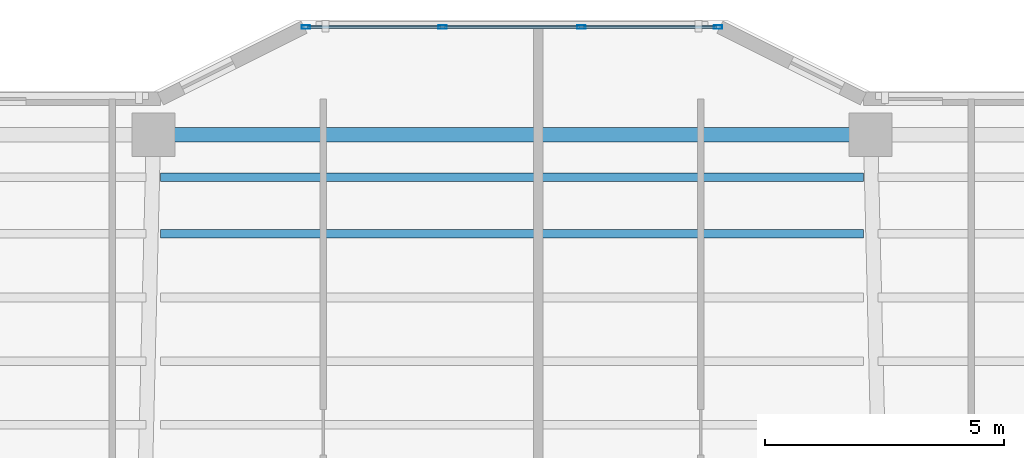
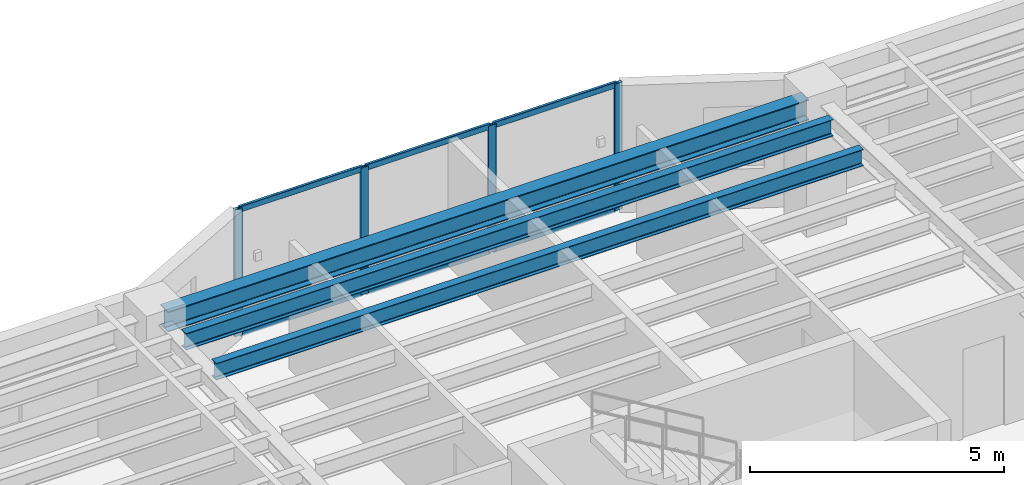
# One storey, part 4 of 15: 10 members, 3 beams, 1 element without a shape of its own.
"""IFC4 building model written with IfcOpenShell, lengths in metres."""

from ifc_helpers import new_model, si_unit, direction, frame, origin, origin_2d, place, context, subcontext, project, spatial, hollow_rectangle, i_section, extrude, material, layer, layer_set, material_profile, profile_set, type_object, element, aggregate, save


model = new_model("IFC4")

# Units and contexts
model_context = context("Model", 3, precision=1e-05, world=origin(), true_north=direction((0.0, 1.0)))
body_context = subcontext(model_context, "Body", "Model", "MODEL_VIEW")
ifc_project = project(units=[si_unit("LENGTHUNIT", "METRE"), si_unit("AREAUNIT", "SQUARE_METRE"), si_unit("VOLUMEUNIT", "CUBIC_METRE"), si_unit("PLANEANGLEUNIT", "RADIAN"), si_unit("MASSUNIT", "GRAM", prefix="KILO")], contexts=[model_context])

# Site, building, storey
site_placement = place(None, origin())
site = spatial("IfcSite", under=ifc_project, at=site_placement, CompositionType="ELEMENT")
building_placement = place(site_placement, origin())
building = spatial("IfcBuilding", under=site, at=building_placement, Name="Tarnavaz Court Tower", CompositionType="ELEMENT")
storey_placement = place(building_placement, frame((0.0, 0.0, 169.449951171875)))
storey = spatial("IfcBuildingStorey", under=building, at=storey_placement, Name="L46", CompositionType="ELEMENT", Elevation=169.449951171875)

# Beams
ifc_material_1 = material(Name="Steel S355", Category="steel")
ifc_material_profile_1 = material_profile(ifc_material_1, i_section(OverallWidth=0.179931640625, OverallDepth=0.39990234375, WebThickness=0.008544921875, FlangeThickness=0.013427734375, FilletRadius=0.02099609375, at=origin_2d()), Name="IPE 400")
ifc_profile_set_1 = profile_set([ifc_material_profile_1], Name="Steel S355")
beam_type_1 = type_object("IfcBeamType", Name="BM-J-IPE400", PredefinedType="JOIST", material=ifc_profile_set_1)
for number, where, z_axis, x_axis, name in (
    (1, (-7.35009765625, 18.327880859375, 2.85009765625), (1.0, 0.0, 0.0), (0.0, 1.0, 0.0), "L46 Beam JN4-2"),
    (2, (-7.35009765625, 19.511962890625, 2.85009765625), (1.0, 0.0, 0.0), (0.0, 1.0, 0.0), "L46 Beam JN5-2"),
):
    element("IfcBeam", number, at=place(storey_placement, frame(where, z_axis=z_axis, x_axis=x_axis)), inside=storey, type_object=beam_type_1, Name=name, PredefinedType="JOIST", context=body_context, shape_type="SweptSolid", body=[
        extrude(i_section(OverallWidth=0.179931640625, OverallDepth=0.39990234375, WebThickness=0.008544921875, FlangeThickness=0.013427734375, FilletRadius=0.02099609375, at=origin_2d()), origin(), (0.0, 0.0, 1.0), 14.7001953125),
    ])
ifc_material_profile_2 = material_profile(ifc_material_1, i_section(OverallWidth=0.300048828125, OverallDepth=0.489990234375, WebThickness=0.011962890625, FlangeThickness=0.02294921875, FilletRadius=0.027099609375, at=origin_2d()), Name="HEA 500")
ifc_profile_set_2 = profile_set([ifc_material_profile_2], Name="Steel S355")
beam_type_2 = type_object("IfcBeamType", Name="BM-SP-HEA500", PredefinedType="SPANDREL", material=ifc_profile_set_2)
beam_placement = place(storey_placement, frame((-7.280029296875, 20.39990234375, 2.804931640625), z_axis=(1.0, 0.0, 0.0), x_axis=(0.0, 1.0, 0.0)))
element("IfcBeam", 3, at=beam_placement, inside=storey, type_object=beam_type_2, Name="L46 Beam PR-PN-2-PN-3", PredefinedType="SPANDREL", context=body_context, shape_type="SweptSolid", body=[
    extrude(i_section(OverallWidth=0.300048828125, OverallDepth=0.489990234375, WebThickness=0.011962890625, FlangeThickness=0.02294921875, FilletRadius=0.027099609375, at=origin_2d()), origin(), (0.0, 0.0, 1.0), 14.56005859375),
])

# Curtain wall, members
ifc_material_2 = material(Name="Anodised Aluminium 6063-T6 and Solar Low-E Glazing", Category="aluminium")
ifc_layer = layer(ifc_material_2, 0.159912109375)
ifc_layer_set = layer_set([ifc_layer], Name="Anodised Aluminium 6063-T6 and Solar Low-E Glazing")
curtain_wall_type = type_object("IfcCurtainWallType", Name="CW-SYS-03", PredefinedType="NOTDEFINED", material=ifc_layer_set)
curtain_wall_placement = place(storey_placement, origin())
curtain_wall = element("IfcCurtainWall", 4, at=curtain_wall_placement, inside=storey, type_object=curtain_wall_type, Name="L46 Iwan Prow Curtain Wall 7", PredefinedType="NOTDEFINED")
ifc_material_3 = material(Name="Anodised Aluminium 6063-T6", Category="aluminium")
ifc_material_profile_3 = material_profile(ifc_material_3, hollow_rectangle(XDim=0.074951171875, YDim=0.179931640625, WallThickness=0.0048828125, InnerFilletRadius=0.0048828125, OuterFilletRadius=0.010009765625, at=origin_2d()), Name="ALU RHS 180X75X5")
ifc_profile_set_3 = profile_set([ifc_material_profile_3], Name="Anodised Aluminium 6063-T6")
member_type_1 = type_object("IfcMemberType", Name="CW-MUL-180", PredefinedType="MULLION", material=ifc_profile_set_3)
member_1_placement = place(storey_placement, frame((-4.3125, 22.64990234375, 0.0), z_axis=(0.0, 0.0, 1.0), x_axis=(0.0, 1.0, 0.0)))
member_1 = element("IfcMember", 5, at=member_1_placement, type_object=member_type_1, Name="CW mullion 1", PredefinedType="MULLION", context=body_context, shape_type="SweptSolid", body=[
    extrude(hollow_rectangle(XDim=0.074951171875, YDim=0.179931640625, WallThickness=0.0048828125, InnerFilletRadius=0.0048828125, OuterFilletRadius=0.010009765625, at=origin_2d()), origin(), (0.0, 0.0, 1.0), 3.050048828125),
])
member_2_placement = place(storey_placement, frame((-1.449951171875, 22.64990234375, 0.0), z_axis=(0.0, 0.0, 1.0), x_axis=(0.0, 1.0, 0.0)))
member_2 = element("IfcMember", 6, at=member_2_placement, type_object=member_type_1, Name="CW mullion 2", PredefinedType="MULLION", context=body_context, shape_type="SweptSolid", body=[
    extrude(hollow_rectangle(XDim=0.074951171875, YDim=0.179931640625, WallThickness=0.0048828125, InnerFilletRadius=0.0048828125, OuterFilletRadius=0.010009765625, at=origin_2d()), origin(), (0.0, 0.0, 1.0), 3.050048828125),
])
member_3_placement = place(storey_placement, frame((1.449951171875, 22.64990234375, 0.0), z_axis=(0.0, 0.0, 1.0), x_axis=(0.0, 1.0, 0.0)))
member_3 = element("IfcMember", 7, at=member_3_placement, type_object=member_type_1, Name="CW mullion 3", PredefinedType="MULLION", context=body_context, shape_type="SweptSolid", body=[
    extrude(hollow_rectangle(XDim=0.074951171875, YDim=0.179931640625, WallThickness=0.0048828125, InnerFilletRadius=0.0048828125, OuterFilletRadius=0.010009765625, at=origin_2d()), origin(), (0.0, 0.0, 1.0), 3.050048828125),
])
member_4_placement = place(storey_placement, frame((4.3125, 22.64990234375, 0.0), z_axis=(0.0, 0.0, 1.0), x_axis=(0.0, 1.0, 0.0)))
member_4 = element("IfcMember", 8, at=member_4_placement, type_object=member_type_1, Name="CW mullion 4", PredefinedType="MULLION", context=body_context, shape_type="SweptSolid", body=[
    extrude(hollow_rectangle(XDim=0.074951171875, YDim=0.179931640625, WallThickness=0.0048828125, InnerFilletRadius=0.0048828125, OuterFilletRadius=0.010009765625, at=origin_2d()), origin(), (0.0, 0.0, 1.0), 3.050048828125),
])
ifc_material_profile_4 = material_profile(ifc_material_3, hollow_rectangle(XDim=0.06494140625, YDim=0.139892578125, WallThickness=0.00390625, InnerFilletRadius=0.00390625, OuterFilletRadius=0.008056640625, at=origin_2d()), Name="ALU RHS 140X65X4")
ifc_profile_set_4 = profile_set([ifc_material_profile_4], Name="Anodised Aluminium 6063-T6")
member_type_2 = type_object("IfcMemberType", Name="CW-TRN-140", PredefinedType="USERDEFINED", material=ifc_profile_set_4)
member_5_placement = place(storey_placement, frame((-4.27490234375, 22.64990234375, 0.032470703125), z_axis=(1.0, 0.0, 0.0), x_axis=(0.0, 1.0, 0.0)))
member_5 = element("IfcMember", 9, at=member_5_placement, type_object=member_type_2, Name="CW transom 1.1", ObjectType="TRANSOM", PredefinedType="USERDEFINED", context=body_context, shape_type="SweptSolid", body=[
    extrude(hollow_rectangle(XDim=0.06494140625, YDim=0.139892578125, WallThickness=0.00390625, InnerFilletRadius=0.00390625, OuterFilletRadius=0.008056640625, at=origin_2d()), origin(), (0.0, 0.0, 1.0), 2.787353515625),
])
member_6_placement = place(storey_placement, frame((-4.27490234375, 22.64990234375, 3.017578125), z_axis=(1.0, 0.0, 0.0), x_axis=(0.0, 1.0, 0.0)))
member_6 = element("IfcMember", 10, at=member_6_placement, type_object=member_type_2, Name="CW transom 1.2", ObjectType="TRANSOM", PredefinedType="USERDEFINED", context=body_context, shape_type="SweptSolid", body=[
    extrude(hollow_rectangle(XDim=0.06494140625, YDim=0.139892578125, WallThickness=0.00390625, InnerFilletRadius=0.00390625, OuterFilletRadius=0.008056640625, at=origin_2d()), origin(), (0.0, 0.0, 1.0), 2.787353515625),
])
member_7_placement = place(storey_placement, frame((-1.41259765625, 22.64990234375, 0.032470703125), z_axis=(1.0, 0.0, 0.0), x_axis=(0.0, 1.0, 0.0)))
member_7 = element("IfcMember", 11, at=member_7_placement, type_object=member_type_2, Name="CW transom 2.1", ObjectType="TRANSOM", PredefinedType="USERDEFINED", context=body_context, shape_type="SweptSolid", body=[
    extrude(hollow_rectangle(XDim=0.06494140625, YDim=0.139892578125, WallThickness=0.00390625, InnerFilletRadius=0.00390625, OuterFilletRadius=0.008056640625, at=origin_2d()), origin(), (0.0, 0.0, 1.0), 2.8251953125),
])
member_8_placement = place(storey_placement, frame((-1.41259765625, 22.64990234375, 3.017578125), z_axis=(1.0, 0.0, 0.0), x_axis=(0.0, 1.0, 0.0)))
member_8 = element("IfcMember", 12, at=member_8_placement, type_object=member_type_2, Name="CW transom 2.2", ObjectType="TRANSOM", PredefinedType="USERDEFINED", context=body_context, shape_type="SweptSolid", body=[
    extrude(hollow_rectangle(XDim=0.06494140625, YDim=0.139892578125, WallThickness=0.00390625, InnerFilletRadius=0.00390625, OuterFilletRadius=0.008056640625, at=origin_2d()), origin(), (0.0, 0.0, 1.0), 2.8251953125),
])
member_9_placement = place(storey_placement, frame((1.487548828125, 22.64990234375, 0.032470703125), z_axis=(1.0, 0.0, 0.0), x_axis=(0.0, 1.0, 0.0)))
member_9 = element("IfcMember", 13, at=member_9_placement, type_object=member_type_2, Name="CW transom 3.1", ObjectType="TRANSOM", PredefinedType="USERDEFINED", context=body_context, shape_type="SweptSolid", body=[
    extrude(hollow_rectangle(XDim=0.06494140625, YDim=0.139892578125, WallThickness=0.00390625, InnerFilletRadius=0.00390625, OuterFilletRadius=0.008056640625, at=origin_2d()), origin(), (0.0, 0.0, 1.0), 2.787353515625),
])
member_10_placement = place(storey_placement, frame((1.487548828125, 22.64990234375, 3.017578125), z_axis=(1.0, 0.0, 0.0), x_axis=(0.0, 1.0, 0.0)))
member_10 = element("IfcMember", 14, at=member_10_placement, type_object=member_type_2, Name="CW transom 3.2", ObjectType="TRANSOM", PredefinedType="USERDEFINED", context=body_context, shape_type="SweptSolid", body=[
    extrude(hollow_rectangle(XDim=0.06494140625, YDim=0.139892578125, WallThickness=0.00390625, InnerFilletRadius=0.00390625, OuterFilletRadius=0.008056640625, at=origin_2d()), origin(), (0.0, 0.0, 1.0), 2.787353515625),
])
aggregate(curtain_wall, [member_1, member_2, member_3, member_4, member_5, member_6, member_7, member_8, member_9, member_10])

save(model, "model.ifc")
